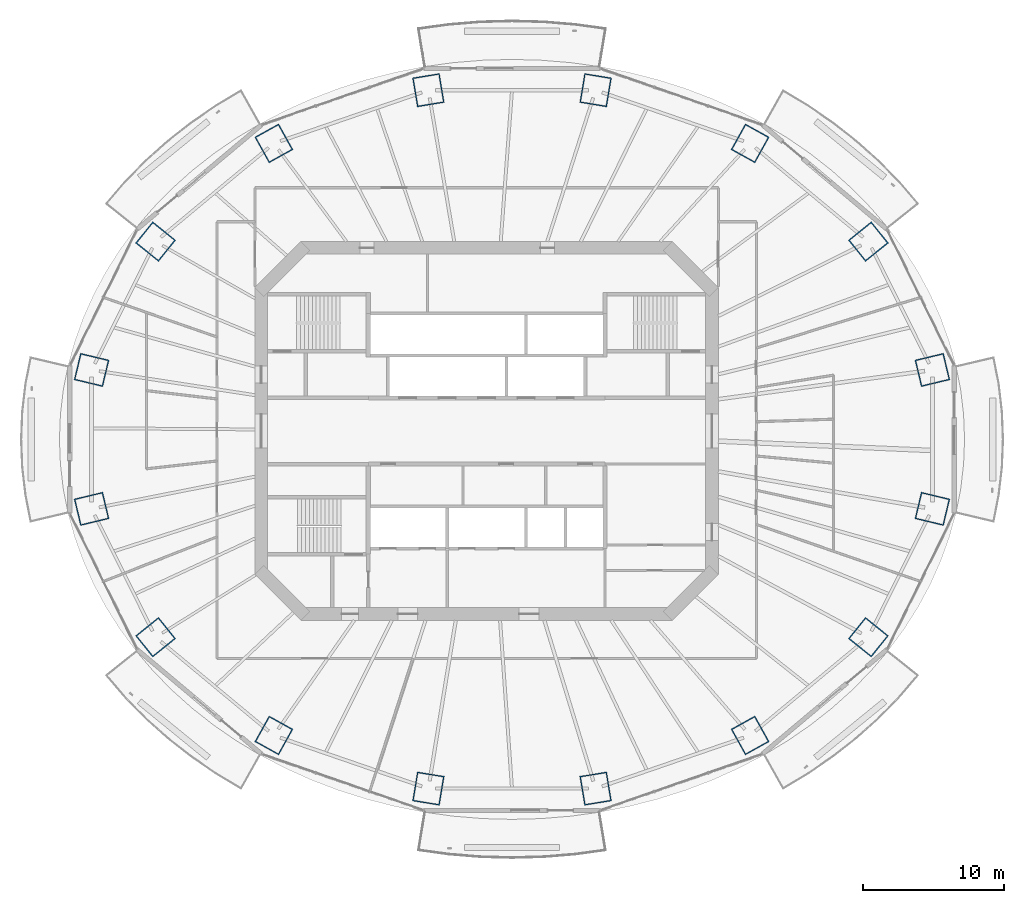
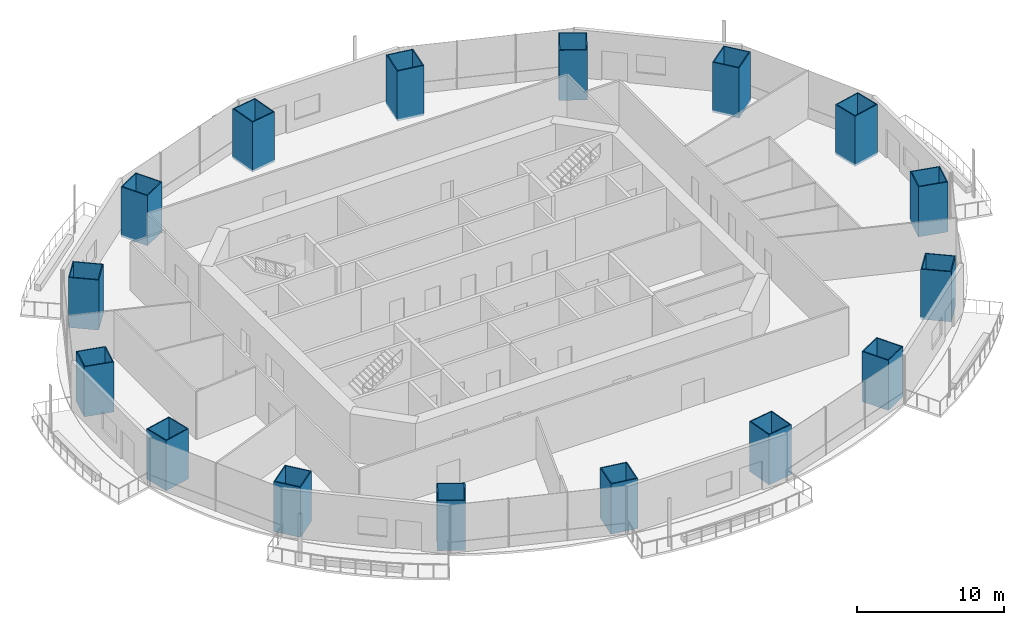
# One storey, part 1 of 20: 16 columns.
"""IFC4 building model written with IfcOpenShell, lengths in metres."""

from ifc_helpers import new_model, si_unit, direction, frame, origin, origin_2d, place, context, subcontext, project, spatial, rectangle, hollow_rectangle, extrude, material, material_profile, profile_set, type_object, element, save


model = new_model("IFC4")

# Units and contexts
model_context = context("Model", 3, precision=1e-05, world=origin(), true_north=direction((0.0, 1.0)))
body_context = subcontext(model_context, "Body", "Model", "MODEL_VIEW")
ifc_project = project(units=[si_unit("LENGTHUNIT", "METRE"), si_unit("AREAUNIT", "SQUARE_METRE"), si_unit("VOLUMEUNIT", "CUBIC_METRE"), si_unit("PLANEANGLEUNIT", "RADIAN"), si_unit("MASSUNIT", "GRAM", prefix="KILO")], contexts=[model_context])

# Site, building, storey
site_placement = place(None, origin())
site = spatial("IfcSite", under=ifc_project, at=site_placement, CompositionType="ELEMENT")
building_placement = place(site_placement, origin())
building = spatial("IfcBuilding", under=site, at=building_placement, Name="Marenthal Gate Tower", CompositionType="ELEMENT")
storey_placement = place(building_placement, frame((0.0, 0.0, 194.25)))
storey = spatial("IfcBuildingStorey", under=building, at=storey_placement, Name="L42", CompositionType="ELEMENT", Elevation=194.25)

# Columns
ifc_material_1 = material(Name="Steel S460", Category="steel")
ifc_material_profile_1 = material_profile(ifc_material_1, hollow_rectangle(XDim=1.949951171875, YDim=2.10009765625, WallThickness=0.074951171875, at=origin_2d()), Name="CFT BOX 2100X1950X75")
ifc_material_2 = material(Name="Concrete 70 MPa", Category="concrete")
ifc_material_profile_2 = material_profile(ifc_material_2, rectangle(XDim=1.800048828125, YDim=1.949951171875, at=origin_2d()), Name="CFT BOX 2100X1950X75 INFILL")
ifc_profile_set = profile_set([ifc_material_profile_1, ifc_material_profile_2], Name="Steel S460 shell, Concrete 70 MPa infill")
column_type = type_object("IfcColumnType", Name="CFT BOX 2100X1950X75", PredefinedType="COLUMN", material=ifc_profile_set)
for number, where, z_axis, x_axis, name in (
    (1, (31.650146484375, 4.33203125, -0.179931640625), (0.0, 0.0, 1.0), (0.232880188274, -0.972505433357, 0.0), "COL-L42-01"),
    (2, (27.105712890625, 13.4453125, -0.179931640625), (0.0, 0.0, 1.0), (0.626783341312, -0.779193585096, 0.0), "COL-L42-02"),
    (3, (18.708740234375, 20.42041015625, -0.179931640625), (0.0, 0.0, 1.0), (0.874353883953, -0.485288868217, 0.0), "COL-L42-03"),
    (4, (7.737548828125, 24.1953125, -0.179931640625), (0.0, 0.0, 1.0), (0.986623138767, -0.163017735384, 0.0), "COL-L42-04"),
    (5, (-4.1376953125, 24.1953125, -0.179931640625), (0.0, 0.0, 1.0), (0.986623138767, 0.163017735384, 0.0), "COL-L42-05"),
    (6, (-15.10888671875, 20.42041015625, -0.179931640625), (0.0, 0.0, 1.0), (0.874353883953, 0.485288868217, 0.0), "COL-L42-06"),
    (7, (-23.505859375, 13.4453125, -0.179931640625), (0.0, 0.0, 1.0), (0.626783341312, 0.779193585096, 0.0), "COL-L42-07"),
    (8, (-28.05029296875, 4.33203125, -0.179931640625), (0.0, 0.0, 1.0), (0.232880188274, 0.972505433357, 0.0), "COL-L42-08"),
    (9, (-28.05029296875, -5.531982421875, -0.179931640625), (0.0, 0.0, 1.0), (-0.232880188274, 0.972505433357, 0.0), "COL-L42-09"),
    (10, (-23.505859375, -14.6455078125, -0.179931640625), (0.0, 0.0, 1.0), (-0.626783341312, 0.779193585096, 0.0), "COL-L42-10"),
    (11, (-15.10888671875, -21.620361328125, -0.179931640625), (0.0, 0.0, 1.0), (-0.874353883953, 0.485288868217, 0.0), "COL-L42-11"),
    (12, (-4.1376953125, -25.395263671875, -0.179931640625), (0.0, 0.0, 1.0), (-0.986623138767, 0.163017735384, 0.0), "COL-L42-12"),
    (13, (7.737548828125, -25.395263671875, -0.179931640625), (0.0, 0.0, 1.0), (-0.986623138767, -0.163017735384, 0.0), "COL-L42-13"),
    (14, (18.708740234375, -21.620361328125, -0.179931640625), (0.0, 0.0, 1.0), (-0.874353883953, -0.485288868217, 0.0), "COL-L42-14"),
    (15, (27.105712890625, -14.6455078125, -0.179931640625), (0.0, 0.0, 1.0), (-0.626783341312, -0.779193585096, 0.0), "COL-L42-15"),
    (16, (31.650146484375, -5.531982421875, -0.179931640625), (0.0, 0.0, 1.0), (-0.232880188274, -0.972505433357, 0.0), "COL-L42-16"),
):
    element("IfcColumn", number, at=place(storey_placement, frame(where, z_axis=z_axis, x_axis=x_axis)), inside=storey, type_object=column_type, Name=name, PredefinedType="COLUMN", context=body_context, shape_type="SweptSolid", body=[
        extrude(hollow_rectangle(XDim=1.949951171875, YDim=2.10009765625, WallThickness=0.074951171875, at=origin_2d()), origin(), (0.0, 0.0, 1.0), 4.14990234375),
    ])

save(model, "model.ifc")
